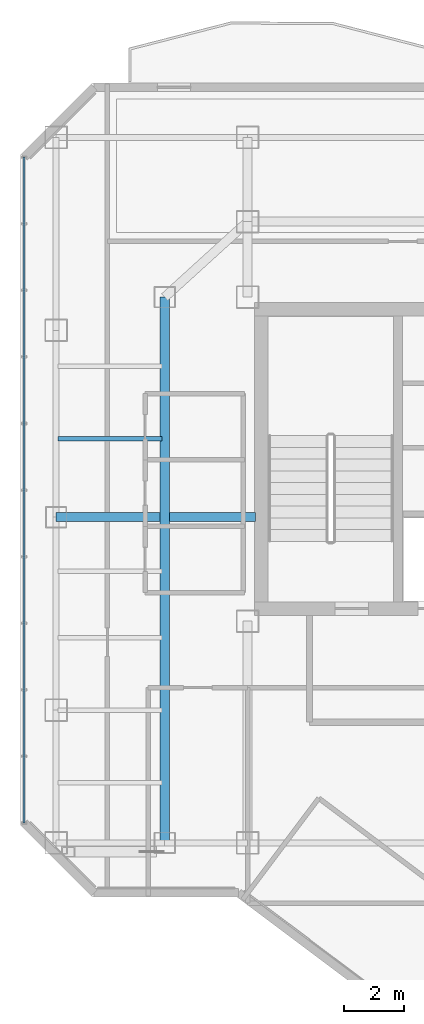
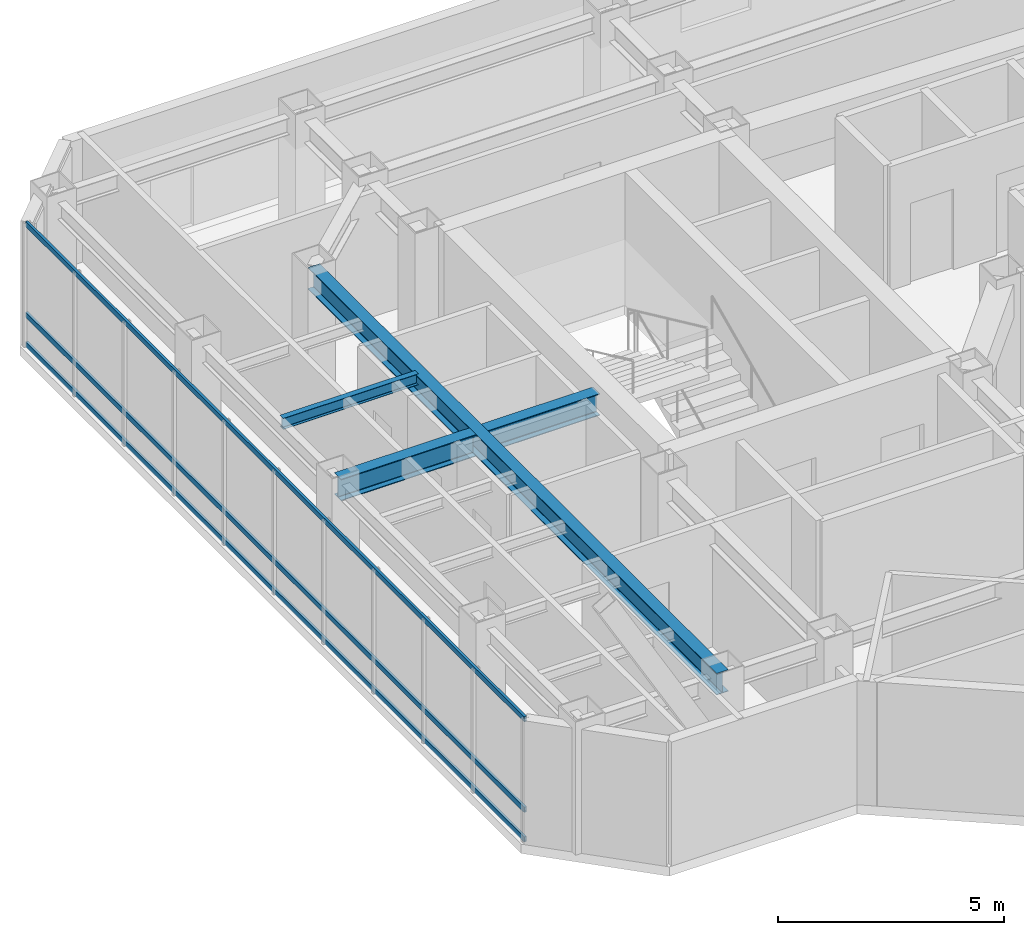
# One storey, part 7 of 25: 4 beams, 3 members, 1 element without a shape of its own.
"""IFC4 building model written with IfcOpenShell, lengths in metres."""

from ifc_helpers import new_model, si_unit, direction, frame, origin, origin_2d, place, context, subcontext, project, spatial, hollow_rectangle, i_section, extrude, material, layer, layer_set, material_profile, profile_set, type_object, element, aggregate, save


model = new_model("IFC4")

# Units and contexts
model_context = context("Model", 3, precision=1e-05, world=origin(), true_north=direction((0.0, 1.0)))
body_context = subcontext(model_context, "Body", "Model", "MODEL_VIEW")
ifc_project = project(units=[si_unit("LENGTHUNIT", "METRE"), si_unit("AREAUNIT", "SQUARE_METRE"), si_unit("VOLUMEUNIT", "CUBIC_METRE"), si_unit("PLANEANGLEUNIT", "RADIAN"), si_unit("MASSUNIT", "GRAM", prefix="KILO")], contexts=[model_context])

# Site, building, storey
site_placement = place(None, origin())
site = spatial("IfcSite", under=ifc_project, at=site_placement, CompositionType="ELEMENT")
building_placement = place(site_placement, origin())
building = spatial("IfcBuilding", under=site, at=building_placement, Name="Hatsunagi Terrace Concourse", CompositionType="ELEMENT")
storey_placement = place(building_placement, frame((0.0, 0.0, 205.949951171875)))
storey = spatial("IfcBuildingStorey", under=building, at=storey_placement, Name="L54", CompositionType="ELEMENT", Elevation=205.949951171875)

# Curtain wall, members
ifc_material_1 = material(Name="Anodised Aluminium Alloy 6063-T5", Category="aluminium")
ifc_layer = layer(ifc_material_1, 0.199951171875)
ifc_layer_set = layer_set([ifc_layer], Name="OfficeZone2_CW04")
curtain_wall_type = type_object("IfcCurtainWallType", Name="OfficeZone2_CW04", PredefinedType="NOTDEFINED", material=ifc_layer_set)
curtain_wall_placement = place(storey_placement, origin())
curtain_wall = element("IfcCurtainWall", 1, at=curtain_wall_placement, inside=storey, type_object=curtain_wall_type, Name="Unitised Curtain Wall CW-04 CW-L54-08", PredefinedType="NOTDEFINED")
ifc_material_2 = material(Name="Anodised Aluminium Alloy 6063-T5", Category="aluminium")
ifc_material_profile_1 = material_profile(ifc_material_2, hollow_rectangle(XDim=0.06494140625, YDim=0.139892578125, WallThickness=0.00390625, at=origin_2d()), Name="ALU-TRN-140x65x4")
ifc_profile_set_1 = profile_set([ifc_material_profile_1], Name="Anodised Aluminium Alloy 6063-T5")
member_type = type_object("IfcMemberType", Name="CurtainWallTransom_140x65", PredefinedType="USERDEFINED", material=ifc_profile_set_1)
member_1_placement = place(storey_placement, frame((18.139892578125, 25.85791015625, 0.050048828125), z_axis=(0.0, 1.0, 0.0), x_axis=(-1.0, 0.0, 0.0)))
member_1 = element("IfcMember", 2, at=member_1_placement, type_object=member_type, Name="Curtain Wall Transom TRN-02", ObjectType="TRANSOM", PredefinedType="USERDEFINED", context=body_context, shape_type="SweptSolid", body=[
    extrude(hollow_rectangle(XDim=0.06494140625, YDim=0.139892578125, WallThickness=0.00390625, at=origin_2d()), origin(), (0.0, 0.0, 1.0), 22.083984375),
])
member_2_placement = place(storey_placement, frame((18.139892578125, 25.85791015625, 0.85009765625), z_axis=(0.0, 1.0, 0.0), x_axis=(-1.0, 0.0, 0.0)))
member_2 = element("IfcMember", 3, at=member_2_placement, type_object=member_type, Name="Curtain Wall Transom TRN-02", ObjectType="TRANSOM", PredefinedType="USERDEFINED", context=body_context, shape_type="SweptSolid", body=[
    extrude(hollow_rectangle(XDim=0.06494140625, YDim=0.139892578125, WallThickness=0.00390625, at=origin_2d()), origin(), (0.0, 0.0, 1.0), 22.083984375),
])
member_3_placement = place(storey_placement, frame((18.139892578125, 25.85791015625, 3.300048828125), z_axis=(0.0, 1.0, 0.0), x_axis=(-1.0, 0.0, 0.0)))
member_3 = element("IfcMember", 4, at=member_3_placement, type_object=member_type, Name="Curtain Wall Transom TRN-02", ObjectType="TRANSOM", PredefinedType="USERDEFINED", context=body_context, shape_type="SweptSolid", body=[
    extrude(hollow_rectangle(XDim=0.06494140625, YDim=0.139892578125, WallThickness=0.00390625, at=origin_2d()), origin(), (0.0, 0.0, 1.0), 22.083984375),
])
aggregate(curtain_wall, [member_1, member_2, member_3])

# Beams
ifc_material_3 = material(Name="Steel SN490B", Category="steel")
ifc_material_profile_2 = material_profile(ifc_material_3, i_section(OverallWidth=0.300048828125, OverallDepth=0.587890625, WebThickness=0.011962890625, FlangeThickness=0.02001953125, FilletRadius=0.01806640625, at=origin_2d()), Name="H-588x300x12x20")
ifc_profile_set_2 = profile_set([ifc_material_profile_2], Name="Steel SN490B")
beam_type_1 = type_object("IfcBeamType", Name="OfficeHighGirder_H_588x300", PredefinedType="BEAM", material=ifc_profile_set_2)
beam_1_placement = place(storey_placement, frame((22.800048828125, 25.199951171875, 3.05615234375), z_axis=(0.0, 1.0, 0.0), x_axis=(-1.0, 0.0, 0.0)))
element("IfcBeam", 5, at=beam_1_placement, inside=storey, type_object=beam_type_1, Name="Beam G-06 BM-L54-CWNS", PredefinedType="BEAM", context=body_context, shape_type="SweptSolid", body=[
    extrude(i_section(OverallWidth=0.300048828125, OverallDepth=0.587890625, WebThickness=0.011962890625, FlangeThickness=0.02001953125, FilletRadius=0.01806640625, at=origin_2d()), origin(), (0.0, 0.0, 1.0), 18.10009765625),
])
beam_2_placement = place(storey_placement, frame((19.199951171875, 36.0, 3.05615234375), z_axis=(1.0, 0.0, 0.0), x_axis=(0.0, 1.0, 0.0)))
element("IfcBeam", 6, at=beam_2_placement, inside=storey, type_object=beam_type_1, Name="Beam G-06 BM-L54-EW-3", PredefinedType="BEAM", context=body_context, shape_type="SweptSolid", body=[
    extrude(i_section(OverallWidth=0.300048828125, OverallDepth=0.587890625, WebThickness=0.011962890625, FlangeThickness=0.02001953125, FilletRadius=0.01806640625, at=origin_2d()), origin(), (0.0, 0.0, 1.0), 3.449951171875),
])
beam_3_placement = place(storey_placement, frame((22.949951171875, 36.0, 3.05615234375), z_axis=(1.0, 0.0, 0.0), x_axis=(0.0, 1.0, 0.0)))
element("IfcBeam", 7, at=beam_3_placement, inside=storey, type_object=beam_type_1, Name="Beam G-06 BM-L54-EW-4", PredefinedType="BEAM", context=body_context, shape_type="SweptSolid", body=[
    extrude(i_section(OverallWidth=0.300048828125, OverallDepth=0.587890625, WebThickness=0.011962890625, FlangeThickness=0.02001953125, FilletRadius=0.01806640625, at=origin_2d()), origin(), (0.0, 0.0, 1.0), 2.860107421875),
])
ifc_material_4 = material(Name="Steel SN490B", Category="steel")
ifc_material_profile_3 = material_profile(ifc_material_4, i_section(OverallWidth=0.14990234375, OverallDepth=0.300048828125, WebThickness=0.006591796875, FlangeThickness=0.009033203125, FilletRadius=0.010986328125, at=origin_2d()), Name="H-300x150x6.5x9")
ifc_profile_set_3 = profile_set([ifc_material_profile_3], Name="Steel SN490B")
beam_type_2 = type_object("IfcBeamType", Name="OfficeJoist_H_300x150", PredefinedType="JOIST", material=ifc_profile_set_3)
beam_4_placement = place(storey_placement, frame((19.264892578125, 38.60009765625, 3.199951171875), z_axis=(1.0, 0.0, 0.0), x_axis=(0.0, 1.0, 0.0)))
element("IfcBeam", 8, at=beam_4_placement, inside=storey, type_object=beam_type_2, Name="Beam J-03 J-L54-W-19-386", PredefinedType="JOIST", context=body_context, shape_type="SweptSolid", body=[
    extrude(i_section(OverallWidth=0.14990234375, OverallDepth=0.300048828125, WebThickness=0.006591796875, FlangeThickness=0.009033203125, FilletRadius=0.010986328125, at=origin_2d()), origin(), (0.0, 0.0, 1.0), 3.4501953125),
])

save(model, "model.ifc")
